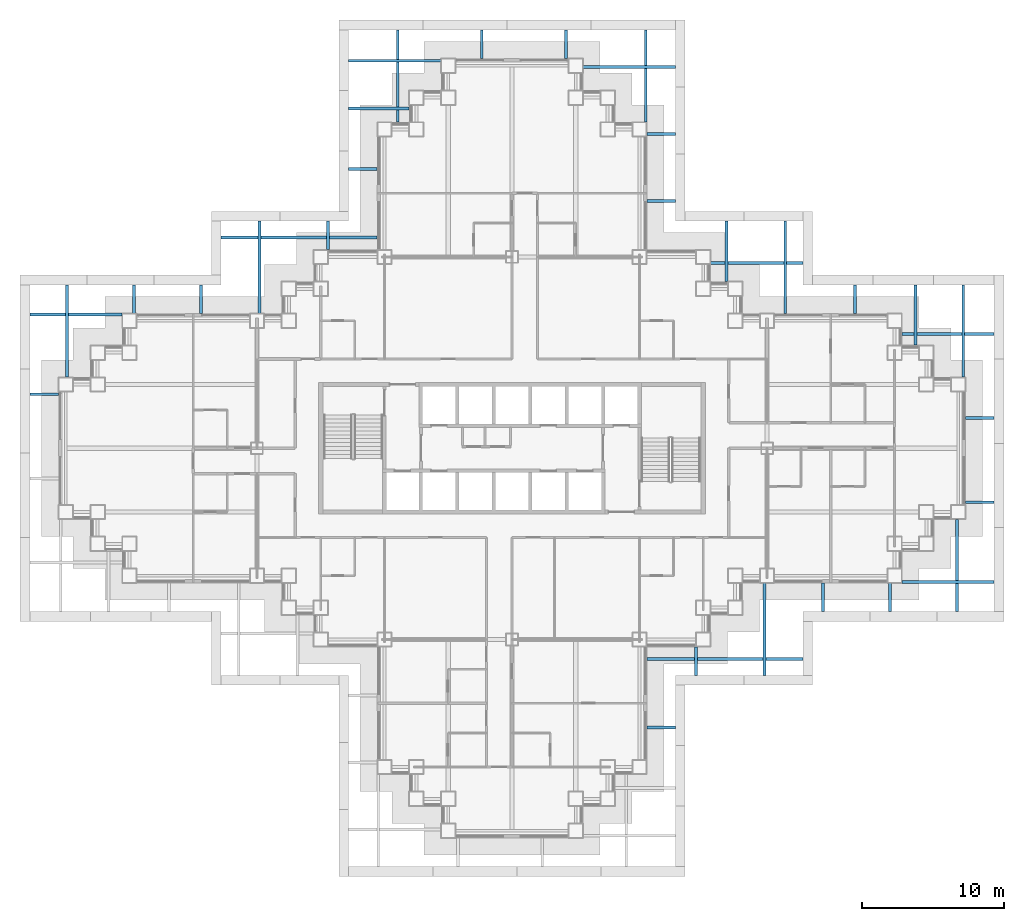
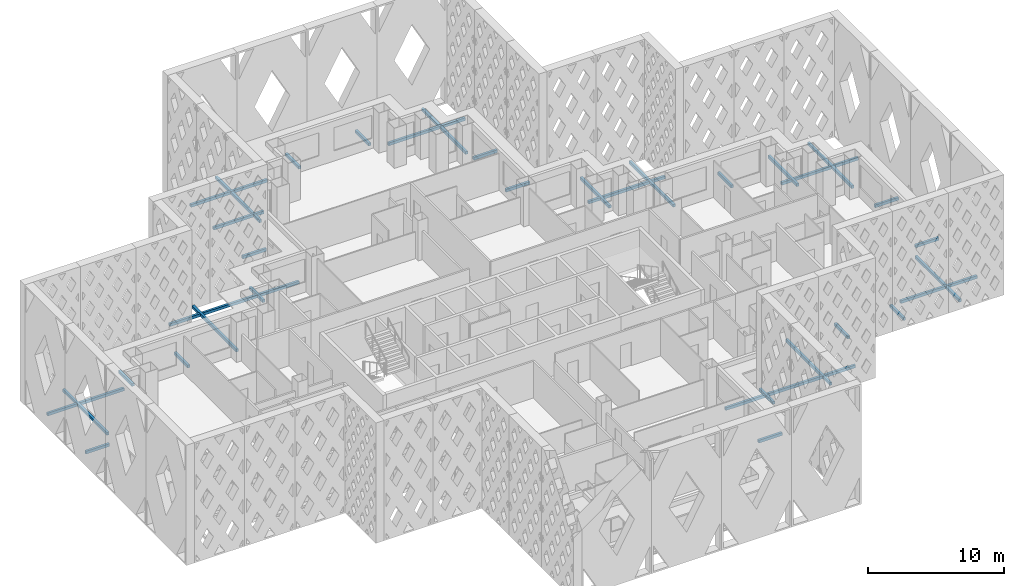
# One storey, part 10 of 19: 35 discrete accessories.
"""IFC4 building model written with IfcOpenShell, lengths in metres."""

import ifcopenshell
import ifcopenshell.guid

model = None  # the IFC model being written
_history = None  # IfcOwnerHistory: only IFC2X3 demands one
_inside = {}  # id of a spatial element -> (the spatial element, [elements in it])
_under = {}  # id of a project, library or spatial element -> (it, [spatial elements below it])
_declared = {}  # id of a project -> (the project, [libraries it declares])
_typed = {}  # id of a type object -> (the type object, [elements of that type])
_made_of = {}  # id of a material, layer set ... -> (it, [elements and type objects made of it])


def new_model(schema):
    """Start an empty IFC model of exactly this schema.

    Asked for "IFC4X3", IfcOpenShell would pick the latest addendum, in which some entities
    have other attributes; the version numbers below select the first issue.
    IFC2X3 requires an IfcOwnerHistory on every rooted entity: one is made here for all.
    """
    global model, _history
    if schema == "IFC4X3":
        model = ifcopenshell.file(schema_version=(4, 3, 0, 0))
    else:
        model = ifcopenshell.file(schema=schema)
    _inside.clear()
    _under.clear()
    _declared.clear()
    _typed.clear()
    _made_of.clear()
    _history = None
    if model.schema == "IFC2X3":
        org = make("IfcOrganization", Name="unknown")
        user = make(
            "IfcPersonAndOrganization",
            ThePerson=make("IfcPerson", FamilyName="unknown"),
            TheOrganization=org,
        )
        app = make(
            "IfcApplication",
            ApplicationDeveloper=org,
            Version="unknown",
            ApplicationFullName="unknown",
            ApplicationIdentifier="unknown",
        )
        _history = make(
            "IfcOwnerHistory",
            OwningUser=user,
            OwningApplication=app,
            ChangeAction="ADDED",
            CreationDate=0,
        )
    return model


def make(cls, **values):
    """One entity of the class cls with the attributes given. An attribute that is None is left unset."""
    return model.create_entity(
        cls, **{name: value for name, value in values.items() if value is not None}
    )


def rooted(cls, **values):
    """An entity with a GlobalId (a new one), such as an element, a storey or a relation."""
    return make(cls, GlobalId=ifcopenshell.guid.new(), OwnerHistory=_history, **values)


def si_unit(unit_type, name, prefix=None):
    """IfcSIUnit, for example si_unit("LENGTHUNIT", "METRE", prefix="MILLI")."""
    return make("IfcSIUnit", UnitType=unit_type, Prefix=prefix, Name=name)


def assignment(units):
    """IfcUnitAssignment: the units of a project."""
    return None if units is None else make("IfcUnitAssignment", Units=units)


def point(xyz):
    """IfcCartesianPoint."""
    return None if xyz is None else make("IfcCartesianPoint", Coordinates=xyz)


def direction(xyz):
    """IfcDirection."""
    return None if xyz is None else make("IfcDirection", DirectionRatios=xyz)


def frame(location, z_axis=None, x_axis=None):
    """IfcAxis2Placement3D, a coordinate frame: its origin and axes. An axis left out is left unset."""
    return make(
        "IfcAxis2Placement3D",
        Location=point(location),
        Axis=direction(z_axis),
        RefDirection=direction(x_axis),
    )


def frame_2d(location, x_axis=None):
    """IfcAxis2Placement2D, a coordinate frame in the plane: its origin and x axis."""
    return make(
        "IfcAxis2Placement2D", Location=point(location), RefDirection=direction(x_axis)
    )


def origin():
    """The frame at (0, 0, 0) with its axes left unset."""
    return frame((0.0, 0.0, 0.0))


def origin_2d():
    """The frame at (0, 0) in the plane with its x axis left unset."""
    return frame_2d((0.0, 0.0))


def place(relative_to, where):
    """IfcLocalPlacement: puts the frame where relative to a parent placement (None: the world)."""
    return make(
        "IfcLocalPlacement", PlacementRelTo=relative_to, RelativePlacement=where
    )


def context(
    kind, dimensions, precision=None, world=None, true_north=None, identifier=None
):
    """IfcGeometricRepresentationContext, for example the 3D "Model" context."""
    return make(
        "IfcGeometricRepresentationContext",
        ContextIdentifier=identifier,
        ContextType=kind,
        CoordinateSpaceDimension=dimensions,
        Precision=precision,
        WorldCoordinateSystem=world,
        TrueNorth=true_north,
    )


def subcontext(parent, identifier, kind, view, scale=None):
    """IfcGeometricRepresentationSubContext, for example "Body" below "Model"."""
    return make(
        "IfcGeometricRepresentationSubContext",
        ContextIdentifier=identifier,
        ContextType=kind,
        ParentContext=parent,
        TargetScale=scale,
        TargetView=view,
    )


def project(units=None, contexts=None):
    """IfcProject with its units and contexts."""
    return rooted(
        "IfcProject",
        Name="project",
        RepresentationContexts=contexts,
        UnitsInContext=assignment(units),
    )


def spatial(cls, under=None, at=None, **own):
    """A site, building, storey or space (cls), placed at a placement, below another one or the project."""
    s = rooted(cls, ObjectPlacement=at, **own)
    if under is not None:
        _under.setdefault(under.id(), (under, []))[1].append(s)
    return s


def profile(cls, at=None, kind="AREA", **sizes):
    """A parametric profile (cls). Its sizes go by their IFC names, for example OverallWidth=200.0."""
    return make(cls, ProfileType=kind, Position=at, **sizes)


def rectangle(**sizes):
    """IfcRectangleProfileDef."""
    return profile("IfcRectangleProfileDef", **sizes)


def extrude(swept, where, along, depth):
    """IfcExtrudedAreaSolid: the profile swept, set in the frame where, extruded along a direction by depth."""
    return make(
        "IfcExtrudedAreaSolid",
        SweptArea=swept,
        Position=where,
        ExtrudedDirection=direction(along),
        Depth=depth,
    )


def shape(context_of_items, identifier, shape_type, items):
    """IfcShapeRepresentation: the items that make up one representation, for example the "Body"."""
    return make(
        "IfcShapeRepresentation",
        ContextOfItems=context_of_items,
        RepresentationIdentifier=identifier,
        RepresentationType=shape_type,
        Items=items,
    )


def material(Name=None, Category=None):
    """IfcMaterial."""
    return make("IfcMaterial", Name=Name, Category=Category)


def made_of(thing, what):
    """Note that an element or type object is made of a material, layer set ...; save() writes the relation."""
    if what is not None:
        _made_of.setdefault(what.id(), (what, []))[1].append(thing)
    return thing


def type_object(cls, material=None, **own):
    """A type object (cls), such as IfcWallType, which elements share."""
    return made_of(rooted(cls, **own), material)


def element(
    cls,
    number,
    at=None,
    inside=None,
    cuts=None,
    type_object=None,
    material=None,
    context=None,
    identifier="Body",
    shape_type=None,
    held_by="IfcProductDefinitionShape",
    body=None,
    shapes=None,
    **own,
):
    """One element of the class cls, such as IfcWall. Its Tag is "e" and its number.

    at: its placement. inside: the storey or other place that contains it. cuts: it is an
    opening in that element (IfcRelVoidsElement). A single representation is given by context,
    identifier, shape_type and body (its items); several are given by shapes. held_by: the class
    of the entity that holds the representations. save() writes the other relations.
    """
    e = rooted(cls, Tag="e%d" % number, ObjectPlacement=at, **own)
    if body is not None:
        shapes = [shape(context, identifier, shape_type, body)]
    if shapes is not None:
        e.Representation = make(held_by, Representations=shapes)
    if inside is not None:
        _inside.setdefault(inside.id(), (inside, []))[1].append(e)
    if cuts is not None:
        rooted(
            "IfcRelVoidsElement", RelatingBuildingElement=cuts, RelatedOpeningElement=e
        )
    if type_object is not None:
        _typed.setdefault(type_object.id(), (type_object, []))[1].append(e)
    return made_of(e, material)


def aggregate(whole, parts):
    """IfcRelAggregates: a whole, such as a stair, and the parts it consists of."""
    return rooted("IfcRelAggregates", RelatingObject=whole, RelatedObjects=parts)


def save(model, path):
    """Write the relations noted so far, then the file.

    IfcRelAggregates (storeys below a building ...), IfcRelContainedInSpatialStructure (elements
    in a storey), IfcRelDefinesByType, IfcRelAssociatesMaterial and IfcRelDeclares: one each for
    every whole, place, type object, material and project.
    """
    for whole, parts in _under.values():
        aggregate(whole, parts)
    for where, things in _inside.values():
        rooted(
            "IfcRelContainedInSpatialStructure",
            RelatedElements=things,
            RelatingStructure=where,
        )
    for kind, things in _typed.values():
        rooted("IfcRelDefinesByType", RelatedObjects=things, RelatingType=kind)
    for what, things in _made_of.values():
        rooted("IfcRelAssociatesMaterial", RelatedObjects=things, RelatingMaterial=what)
    for by, libraries in _declared.values():
        rooted("IfcRelDeclares", RelatingContext=by, RelatedDefinitions=libraries)
    model.write(path)


model = new_model("IFC4")

# Units and contexts
model_context = context("Model", 3, precision=1e-05, world=origin(), true_north=direction((0.0, 1.0)))
body_context = subcontext(model_context, "Body", "Model", "MODEL_VIEW")
ifc_project = project(units=[si_unit("LENGTHUNIT", "METRE"), si_unit("AREAUNIT", "SQUARE_METRE"), si_unit("VOLUMEUNIT", "CUBIC_METRE"), si_unit("PLANEANGLEUNIT", "RADIAN"), si_unit("MASSUNIT", "GRAM", prefix="KILO")], contexts=[model_context])

# Site, building, storey
site_placement = place(None, origin())
site = spatial("IfcSite", under=ifc_project, at=site_placement, CompositionType="ELEMENT")
building_placement = place(site_placement, origin())
building = spatial("IfcBuilding", under=site, at=building_placement, Name="Caravel Reach Hotel and Residences", CompositionType="ELEMENT")
storey_placement = place(building_placement, frame((0.0, 0.0, 52.800048828125)))
storey = spatial("IfcBuildingStorey", under=building, at=storey_placement, Name="L11", CompositionType="ELEMENT", Elevation=52.800048828125)

# Discrete accessories
ifc_material = material(Name="Black powder-coated aluminium", Category="aluminium")
discrete_accessory_type = type_object("IfcDiscreteAccessoryType", Name="BR1 Screen bracket", PredefinedType="BRACKET", material=ifc_material)
for number, where, z_axis, x_axis, name in (
    (1, (42.02490234375, 7.288330078125, 0.099853515625), (0.0, 0.0, 1.0), (1.0, 0.0, 0.0), "Screen bracket L11 3.3.1"),
    (2, (44.47998046875, 11.97509765625, 0.099853515625), (0.0, 0.0, 1.0), (0.0, -1.0, 0.0), "Screen bracket L11 4.1.1"),
):
    element("IfcDiscreteAccessory", number, at=place(storey_placement, frame(where, z_axis=z_axis, x_axis=x_axis)), inside=storey, type_object=discrete_accessory_type, Name=name, PredefinedType="BRACKET", context=body_context, shape_type="SweptSolid", body=[
        extrude(rectangle(XDim=2.0, YDim=0.199951171875, at=origin_2d()), origin(), (0.0, 0.0, 1.0), 0.25),
    ])
discrete_accessory_1_placement = place(storey_placement, frame((49.330078125, 14.22509765625, 0.099853515625), z_axis=(0.0, 0.0, 1.0), x_axis=(0.0, -1.0, 0.0)))
element("IfcDiscreteAccessory", 3, at=discrete_accessory_1_placement, inside=storey, type_object=discrete_accessory_type, Name="Screen bracket L11 4.2.1", PredefinedType="BRACKET", context=body_context, shape_type="SweptSolid", body=[
    extrude(rectangle(XDim=6.5, YDim=0.199951171875, at=origin_2d()), origin(), (0.0, 0.0, 1.0), 0.25),
])
discrete_accessory_2_placement = place(storey_placement, frame((46.52490234375, 12.114990234375, 0.099853515625), z_axis=(0.0, 0.0, 1.0), x_axis=(1.0, 0.0, 0.0)))
element("IfcDiscreteAccessory", 4, at=discrete_accessory_2_placement, inside=storey, type_object=discrete_accessory_type, Name="Screen bracket L11 5.1.1", PredefinedType="BRACKET", context=body_context, shape_type="SweptSolid", body=[
    extrude(rectangle(XDim=11.0, YDim=0.199951171875, at=origin_2d()), origin(), (0.0, 0.0, 1.0), 0.25),
])
for number, where, z_axis, x_axis, name in (
    (5, (53.445068359375, 16.47509765625, 0.099853515625), (0.0, 0.0, 1.0), (0.0, -1.0, 0.0), "Screen bracket L11 6.1.1"),
    (6, (58.17822265625, 16.47509765625, 0.099853515625), (0.0, 0.0, 1.0), (0.0, -1.0, 0.0), "Screen bracket L11 6.2.1"),
):
    element("IfcDiscreteAccessory", number, at=place(storey_placement, frame(where, z_axis=z_axis, x_axis=x_axis)), inside=storey, type_object=discrete_accessory_type, Name=name, PredefinedType="BRACKET", context=body_context, shape_type="SweptSolid", body=[
        extrude(rectangle(XDim=2.0, YDim=0.199951171875, at=origin_2d()), origin(), (0.0, 0.0, 1.0), 0.25),
    ])
for number, where, z_axis, x_axis, name in (
    (7, (62.91162109375, 18.72509765625, 0.099853515625), (0.0, 0.0, 1.0), (0.0, -1.0, 0.0), "Screen bracket L11 6.3.1"),
    (8, (62.27490234375, 17.55615234375, 0.099853515625), (0.0, 0.0, 1.0), (1.0, 0.0, 0.0), "Screen bracket L11 7.1.1"),
):
    element("IfcDiscreteAccessory", number, at=place(storey_placement, frame(where, z_axis=z_axis, x_axis=x_axis)), inside=storey, type_object=discrete_accessory_type, Name=name, PredefinedType="BRACKET", context=body_context, shape_type="SweptSolid", body=[
        extrude(rectangle(XDim=6.5, YDim=0.199951171875, at=origin_2d()), origin(), (0.0, 0.0, 1.0), 0.25),
    ])
for number, where, z_axis, x_axis, name in (
    (9, (64.52490234375, 23.19384765625, 0.099853515625), (0.0, 0.0, 1.0), (1.0, 0.0, 0.0), "Screen bracket L11 7.2.1"),
    (10, (64.52490234375, 29.13134765625, 0.099853515625), (0.0, 0.0, 1.0), (1.0, 0.0, 0.0), "Screen bracket L11 7.3.1"),
):
    element("IfcDiscreteAccessory", number, at=place(storey_placement, frame(where, z_axis=z_axis, x_axis=x_axis)), inside=storey, type_object=discrete_accessory_type, Name=name, PredefinedType="BRACKET", context=body_context, shape_type="SweptSolid", body=[
        extrude(rectangle(XDim=2.0, YDim=0.199951171875, at=origin_2d()), origin(), (0.0, 0.0, 1.0), 0.25),
    ])
for number, where, z_axis, x_axis, name in (
    (11, (62.27490234375, 35.06884765625, 0.099853515625), (0.0, 0.0, 1.0), (1.0, 0.0, 0.0), "Screen bracket L11 7.4.1"),
    (12, (63.344970703125, 35.27490234375, 0.099853515625), (0.0, 0.0, 1.0), (0.0, 1.0, 0.0), "Screen bracket L11 8.1.1"),
):
    element("IfcDiscreteAccessory", number, at=place(storey_placement, frame(where, z_axis=z_axis, x_axis=x_axis)), inside=storey, type_object=discrete_accessory_type, Name=name, PredefinedType="BRACKET", context=body_context, shape_type="SweptSolid", body=[
        extrude(rectangle(XDim=6.5, YDim=0.199951171875, at=origin_2d()), origin(), (0.0, 0.0, 1.0), 0.25),
    ])
discrete_accessory_3_placement = place(storey_placement, frame((59.978271484375, 36.39990234375, 0.099853515625), z_axis=(0.0, 0.0, 1.0), x_axis=(0.0, 1.0, 0.0)))
element("IfcDiscreteAccessory", 13, at=discrete_accessory_3_placement, inside=storey, type_object=discrete_accessory_type, Name="Screen bracket L11 8.2.1", PredefinedType="BRACKET", context=body_context, shape_type="SweptSolid", body=[
    extrude(rectangle(XDim=4.25, YDim=0.199951171875, at=origin_2d()), origin(), (0.0, 0.0, 1.0), 0.25),
])
discrete_accessory_4_placement = place(storey_placement, frame((55.711669921875, 37.52490234375, 0.099853515625), z_axis=(0.0, 0.0, 1.0), x_axis=(0.0, 1.0, 0.0)))
element("IfcDiscreteAccessory", 14, at=discrete_accessory_4_placement, inside=storey, type_object=discrete_accessory_type, Name="Screen bracket L11 8.3.1", PredefinedType="BRACKET", context=body_context, shape_type="SweptSolid", body=[
    extrude(rectangle(XDim=2.0, YDim=0.199951171875, at=origin_2d()), origin(), (0.0, 0.0, 1.0), 0.25),
])
for number, where, z_axis, x_axis, name in (
    (15, (48.77490234375, 40.0849609375, 0.099853515625), (0.0, 0.0, 1.0), (1.0, 0.0, 0.0), "Screen bracket L11 9.1.1"),
    (16, (50.780029296875, 39.77490234375, 0.099853515625), (0.0, 0.0, 1.0), (0.0, 1.0, 0.0), "Screen bracket L11 10.1.1"),
):
    element("IfcDiscreteAccessory", number, at=place(storey_placement, frame(where, z_axis=z_axis, x_axis=x_axis)), inside=storey, type_object=discrete_accessory_type, Name=name, PredefinedType="BRACKET", context=body_context, shape_type="SweptSolid", body=[
        extrude(rectangle(XDim=6.5, YDim=0.199951171875, at=origin_2d()), origin(), (0.0, 0.0, 1.0), 0.25),
    ])
discrete_accessory_5_placement = place(storey_placement, frame((46.6298828125, 40.89990234375, 0.099853515625), z_axis=(0.0, 0.0, 1.0), x_axis=(0.0, 1.0, 0.0)))
element("IfcDiscreteAccessory", 17, at=discrete_accessory_5_placement, inside=storey, type_object=discrete_accessory_type, Name="Screen bracket L11 10.2.1", PredefinedType="BRACKET", context=body_context, shape_type="SweptSolid", body=[
    extrude(rectangle(XDim=4.25, YDim=0.199951171875, at=origin_2d()), origin(), (0.0, 0.0, 1.0), 0.25),
])
for number, where, z_axis, x_axis, name in (
    (18, (42.02490234375, 44.445068359375, 0.099853515625), (0.0, 0.0, 1.0), (1.0, 0.0, 0.0), "Screen bracket L11 11.1.1"),
    (19, (42.02490234375, 49.17822265625, 0.099853515625), (0.0, 0.0, 1.0), (1.0, 0.0, 0.0), "Screen bracket L11 11.2.1"),
):
    element("IfcDiscreteAccessory", number, at=place(storey_placement, frame(where, z_axis=z_axis, x_axis=x_axis)), inside=storey, type_object=discrete_accessory_type, Name=name, PredefinedType="BRACKET", context=body_context, shape_type="SweptSolid", body=[
        extrude(rectangle(XDim=2.0, YDim=0.199951171875, at=origin_2d()), origin(), (0.0, 0.0, 1.0), 0.25),
    ])
for number, where, z_axis, x_axis, name in (
    (20, (39.77490234375, 53.91162109375, 0.099853515625), (0.0, 0.0, 1.0), (1.0, 0.0, 0.0), "Screen bracket L11 11.3.1"),
    (21, (40.94384765625, 53.27490234375, 0.099853515625), (0.0, 0.0, 1.0), (0.0, 1.0, 0.0), "Screen bracket L11 12.1.1"),
):
    element("IfcDiscreteAccessory", number, at=place(storey_placement, frame(where, z_axis=z_axis, x_axis=x_axis)), inside=storey, type_object=discrete_accessory_type, Name=name, PredefinedType="BRACKET", context=body_context, shape_type="SweptSolid", body=[
        extrude(rectangle(XDim=6.5, YDim=0.199951171875, at=origin_2d()), origin(), (0.0, 0.0, 1.0), 0.25),
    ])
for number, where, z_axis, x_axis, name in (
    (22, (35.30615234375, 55.52490234375, 0.099853515625), (0.0, 0.0, 1.0), (0.0, 1.0, 0.0), "Screen bracket L11 12.2.1"),
    (23, (29.36865234375, 55.52490234375, 0.099853515625), (0.0, 0.0, 1.0), (0.0, 1.0, 0.0), "Screen bracket L11 12.3.1"),
):
    element("IfcDiscreteAccessory", number, at=place(storey_placement, frame(where, z_axis=z_axis, x_axis=x_axis)), inside=storey, type_object=discrete_accessory_type, Name=name, PredefinedType="BRACKET", context=body_context, shape_type="SweptSolid", body=[
        extrude(rectangle(XDim=2.0, YDim=0.199951171875, at=origin_2d()), origin(), (0.0, 0.0, 1.0), 0.25),
    ])
for number, where, z_axis, x_axis, name in (
    (24, (23.43115234375, 53.27490234375, 0.099853515625), (0.0, 0.0, 1.0), (0.0, 1.0, 0.0), "Screen bracket L11 12.4.1"),
    (25, (23.22509765625, 54.344970703125, 0.099853515625), (0.0, 0.0, 1.0), (-1.0, 0.0, 0.0), "Screen bracket L11 13.1.1"),
):
    element("IfcDiscreteAccessory", number, at=place(storey_placement, frame(where, z_axis=z_axis, x_axis=x_axis)), inside=storey, type_object=discrete_accessory_type, Name=name, PredefinedType="BRACKET", context=body_context, shape_type="SweptSolid", body=[
        extrude(rectangle(XDim=6.5, YDim=0.199951171875, at=origin_2d()), origin(), (0.0, 0.0, 1.0), 0.25),
    ])
discrete_accessory_6_placement = place(storey_placement, frame((22.10009765625, 50.978271484375, 0.099853515625), z_axis=(0.0, 0.0, 1.0), x_axis=(-1.0, 0.0, 0.0)))
element("IfcDiscreteAccessory", 26, at=discrete_accessory_6_placement, inside=storey, type_object=discrete_accessory_type, Name="Screen bracket L11 13.2.1", PredefinedType="BRACKET", context=body_context, shape_type="SweptSolid", body=[
    extrude(rectangle(XDim=4.25, YDim=0.199951171875, at=origin_2d()), origin(), (0.0, 0.0, 1.0), 0.25),
])
for number, where, z_axis, x_axis, name in (
    (27, (20.97509765625, 46.711669921875, 0.099853515625), (0.0, 0.0, 1.0), (-1.0, 0.0, 0.0), "Screen bracket L11 13.3.1"),
    (28, (18.52001953125, 42.02490234375, 0.099853515625), (0.0, 0.0, 1.0), (0.0, 1.0, 0.0), "Screen bracket L11 14.1.1"),
):
    element("IfcDiscreteAccessory", number, at=place(storey_placement, frame(where, z_axis=z_axis, x_axis=x_axis)), inside=storey, type_object=discrete_accessory_type, Name=name, PredefinedType="BRACKET", context=body_context, shape_type="SweptSolid", body=[
        extrude(rectangle(XDim=2.0, YDim=0.199951171875, at=origin_2d()), origin(), (0.0, 0.0, 1.0), 0.25),
    ])
discrete_accessory_7_placement = place(storey_placement, frame((13.669921875, 39.77490234375, 0.099853515625), z_axis=(0.0, 0.0, 1.0), x_axis=(0.0, 1.0, 0.0)))
element("IfcDiscreteAccessory", 29, at=discrete_accessory_7_placement, inside=storey, type_object=discrete_accessory_type, Name="Screen bracket L11 14.2.1", PredefinedType="BRACKET", context=body_context, shape_type="SweptSolid", body=[
    extrude(rectangle(XDim=6.5, YDim=0.199951171875, at=origin_2d()), origin(), (0.0, 0.0, 1.0), 0.25),
])
discrete_accessory_8_placement = place(storey_placement, frame((16.47509765625, 41.885009765625, 0.099853515625), z_axis=(0.0, 0.0, 1.0), x_axis=(-1.0, 0.0, 0.0)))
element("IfcDiscreteAccessory", 30, at=discrete_accessory_8_placement, inside=storey, type_object=discrete_accessory_type, Name="Screen bracket L11 15.1.1", PredefinedType="BRACKET", context=body_context, shape_type="SweptSolid", body=[
    extrude(rectangle(XDim=11.0, YDim=0.199951171875, at=origin_2d()), origin(), (0.0, 0.0, 1.0), 0.25),
])
for number, where, z_axis, x_axis, name in (
    (31, (9.554931640625, 37.52490234375, 0.099853515625), (0.0, 0.0, 1.0), (0.0, 1.0, 0.0), "Screen bracket L11 16.1.1"),
    (32, (4.82177734375, 37.52490234375, 0.099853515625), (0.0, 0.0, 1.0), (0.0, 1.0, 0.0), "Screen bracket L11 16.2.1"),
):
    element("IfcDiscreteAccessory", number, at=place(storey_placement, frame(where, z_axis=z_axis, x_axis=x_axis)), inside=storey, type_object=discrete_accessory_type, Name=name, PredefinedType="BRACKET", context=body_context, shape_type="SweptSolid", body=[
        extrude(rectangle(XDim=2.0, YDim=0.199951171875, at=origin_2d()), origin(), (0.0, 0.0, 1.0), 0.25),
    ])
for number, where, z_axis, x_axis, name in (
    (33, (0.08837890625, 35.27490234375, 0.099853515625), (0.0, 0.0, 1.0), (0.0, 1.0, 0.0), "Screen bracket L11 16.3.1"),
    (34, (0.72509765625, 36.44384765625, 0.099853515625), (0.0, 0.0, 1.0), (-1.0, 0.0, 0.0), "Screen bracket L11 17.1.1"),
):
    element("IfcDiscreteAccessory", number, at=place(storey_placement, frame(where, z_axis=z_axis, x_axis=x_axis)), inside=storey, type_object=discrete_accessory_type, Name=name, PredefinedType="BRACKET", context=body_context, shape_type="SweptSolid", body=[
        extrude(rectangle(XDim=6.5, YDim=0.199951171875, at=origin_2d()), origin(), (0.0, 0.0, 1.0), 0.25),
    ])
discrete_accessory_9_placement = place(storey_placement, frame((-1.52490234375, 30.80615234375, 0.099853515625), z_axis=(0.0, 0.0, 1.0), x_axis=(-1.0, 0.0, 0.0)))
element("IfcDiscreteAccessory", 35, at=discrete_accessory_9_placement, inside=storey, type_object=discrete_accessory_type, Name="Screen bracket L11 17.2.1", PredefinedType="BRACKET", context=body_context, shape_type="SweptSolid", body=[
    extrude(rectangle(XDim=2.0, YDim=0.199951171875, at=origin_2d()), origin(), (0.0, 0.0, 1.0), 0.25),
])

save(model, "model.ifc")
